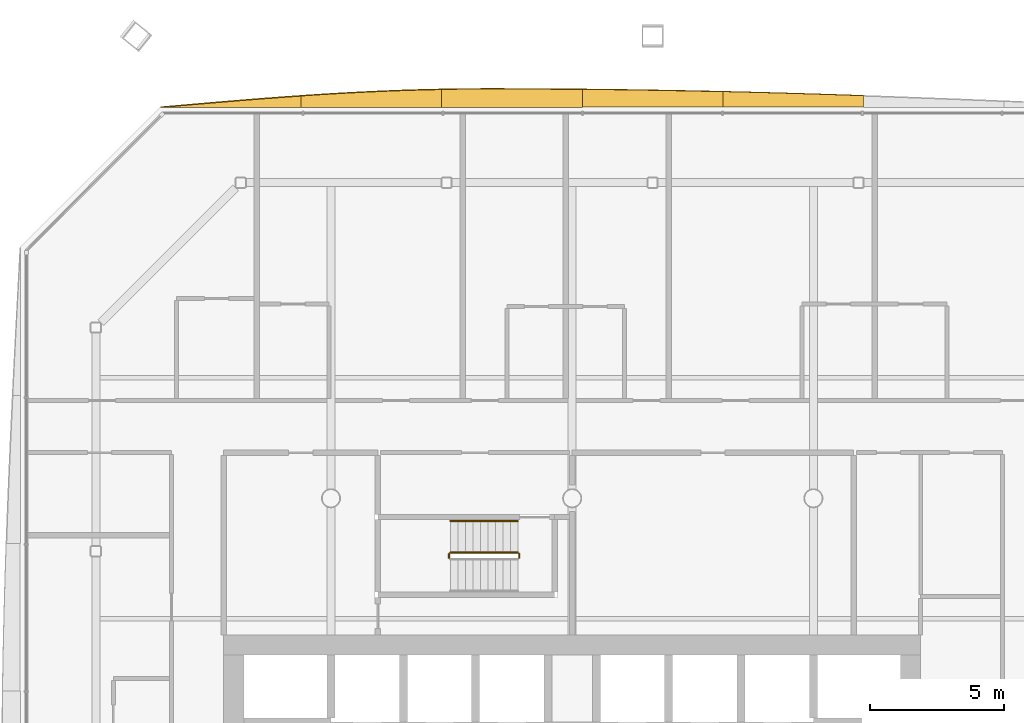
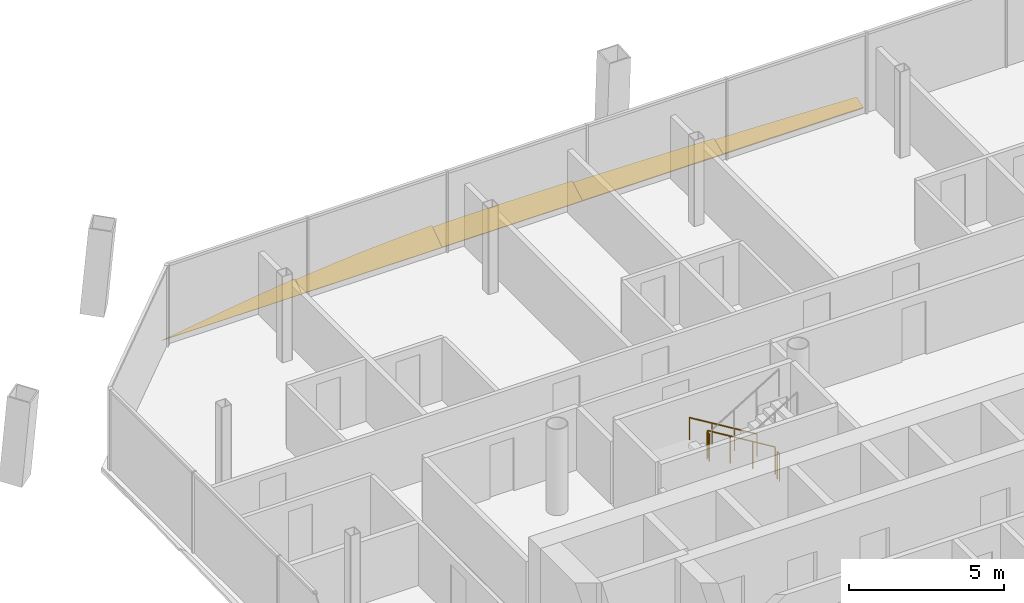
# One storey, part 21 of 22: 5 shading devices, 4 railings.
"""IFC4 building model written with IfcOpenShell, lengths in metres."""

from ifc_helpers import new_model, si_unit, direction, frame, origin, origin_2d, place, context, subcontext, project, spatial, polyline, circle, outline, extrude, material, layer, layer_set, type_object, element, save


model = new_model("IFC4")

# Units and contexts
model_context = context("Model", 3, precision=1e-05, world=origin(), true_north=direction((0.0, 1.0)))
body_context = subcontext(model_context, "Body", "Model", "MODEL_VIEW")
ifc_project = project(units=[si_unit("LENGTHUNIT", "METRE"), si_unit("AREAUNIT", "SQUARE_METRE"), si_unit("VOLUMEUNIT", "CUBIC_METRE"), si_unit("PLANEANGLEUNIT", "RADIAN"), si_unit("MASSUNIT", "GRAM", prefix="KILO")], contexts=[model_context])

# Site, building, storey
site_placement = place(None, origin())
site = spatial("IfcSite", under=ifc_project, at=site_placement, CompositionType="ELEMENT")
building_placement = place(site_placement, origin())
building = spatial("IfcBuilding", under=site, at=building_placement, Name="Tskaro Facet Tower", CompositionType="ELEMENT")
storey_placement = place(building_placement, frame((0.0, 0.0, 124.89990234375)))
storey = spatial("IfcBuildingStorey", under=building, at=storey_placement, Name="L29", CompositionType="ELEMENT", Elevation=124.89990234375)

# Shading devices
ifc_material_1 = material(Name="Bronze anodised aluminium 6063-T6", Category="aluminium")
ifc_layer = layer(ifc_material_1, 0.06005859375, Name="Bronze anodised aluminium 6063-T6")
ifc_layer_set = layer_set([ifc_layer], Name="Bronze anodised aluminium 6063-T6")
shading_device_type = type_object("IfcShadingDeviceType", Name="Bronze sun blade (FN1)", PredefinedType="USERDEFINED", material=ifc_layer_set)
shading_device_1_placement = place(storey_placement, frame((10.8671875, 23.596435546875, 0.056396484375), z_axis=(-1.0715814e-05, -0.342120256761, 0.939656176374), x_axis=(-0.999999999943, 3.666097e-06, -1.006918e-05)))
element("IfcShadingDevice", 1, at=shading_device_1_placement, inside=storey, type_object=shading_device_type, Name="Fin blade north 3", ObjectType="FIN", PredefinedType="USERDEFINED", context=body_context, shape_type="SweptSolid", body=[
    extrude(outline(polyline([(0.0, 0.0), (5.244873046573869, 0.0), (5.24487304675815, -0.614465917563888), (4.495605467921922, -0.5950051118594887), (3.7463378904221134, -0.5744596222636648), (2.9970703124686366, -0.5523706322840193), (2.2478027349565366, -0.5289675501667507), (1.4985351563225595, -0.5045633096113731), (0.7492675781299588, -0.47884497691837236), (-1.1845187608348964e-09, -0.45212548578726264), (0.0, 0.0)])), origin(), (0.0, 0.0, -1.0), 0.06005859375),
])
shading_device_2_placement = place(storey_placement, frame((5.622314453125, 23.591552734375, 0.054443359375), z_axis=(-1.80363e-05, -0.422566691951, 0.906331832459), x_axis=(-0.999999999837, 7.62154e-06, -1.6346873e-05)))
element("IfcShadingDevice", 2, at=shading_device_2_placement, inside=storey, type_object=shading_device_type, Name="Fin blade north 4", ObjectType="FIN", PredefinedType="USERDEFINED", context=body_context, shape_type="SweptSolid", body=[
    extrude(outline(polyline([(0.0, 0.0), (5.24462890539694, 0.0), (5.244628907390833, -0.7339877789837006), (4.495361325987007, -0.724917031256916), (3.746093751243288, -0.7143272586446061), (2.9968261714563473, -0.7019822476992192), (2.2478027331028096, -0.6880001051445315), (1.498535156793482, -0.6726021034006125), (0.7492675773016608, -0.6556701357436865), (-1.3817177230164823e-09, -0.6371010364774592), (0.0, 0.0)])), origin(), (0.0, 0.0, -1.0), 0.06005859375),
])
shading_device_3_placement = place(storey_placement, frame((0.377685546875, 23.5869140625, 0.052001953125), z_axis=(2.079606e-06, -0.499990938533, 0.866030635359), x_axis=(-0.999999999998, -1.039784e-06, 1.801003e-06)))
element("IfcShadingDevice", 3, at=shading_device_3_placement, inside=storey, type_object=shading_device_type, Name="Fin blade north 5", ObjectType="FIN", PredefinedType="USERDEFINED", context=body_context, shape_type="SweptSolid", body=[
    extrude(outline(polyline([(0.0, 0.0), (5.244873046863659, -1.1106450687172933e-21), (5.244873046807312, -0.7695921273596902), (4.495605468692667, -0.7822803946919978), (3.7463378907685905, -0.787973877106458), (3.5456542967651705, -0.7881853103670442), (2.997070312205513, -0.78785180900623), (2.24780273435417, -0.7856720705206284), (1.4985351565210105, -0.7815240268100112), (0.7492675781983272, -0.7758305443955509), (-1.0617267987613322e-10, -0.7681687567560751), (0.0, 0.0)])), origin(), (0.0, 0.0, -1.0), 0.06005859375),
])
shading_device_4_placement = place(storey_placement, frame((-4.8671875, 23.58251953125, 0.04931640625), z_axis=(-1.8984386e-05, -0.573502847044, 0.819203566931), x_axis=(-0.99999999982, 1.08876e-05, -1.5552077e-05)))
element("IfcShadingDevice", 4, at=shading_device_4_placement, inside=storey, type_object=shading_device_type, Name="Fin blade north 6", ObjectType="FIN", PredefinedType="USERDEFINED", context=body_context, shape_type="SweptSolid", body=[
    extrude(outline(polyline([(0.0, 0.0), (5.244873045929856, 0.0), (5.244873047558144, -0.5211803036446242), (4.495605470004637, -0.581662659213918), (3.7463378913067467, -0.636524798770662), (2.997070312603262, -0.6854267061004458), (2.2478027323748653, -0.7278283641179896), (1.4985351544184515, -0.7635897574797519), (0.7492675772147036, -0.7921708691004534), (-1.894484265411672e-09, -0.8133716981092254), (0.0, 0.0)])), origin(), (0.0, 0.0, -1.0), 0.06005859375),
])
shading_device_5_placement = place(storey_placement, frame((-10.112060546875, 23.578369140625, 0.046142578125), z_axis=(-1.1811518e-05, -0.642556385521, 0.766238403688), x_axis=(-0.99999999993, 7.589566e-06, -9.050439e-06)))
element("IfcShadingDevice", 5, at=shading_device_5_placement, inside=storey, type_object=shading_device_type, Name="Fin blade north 7", ObjectType="FIN", PredefinedType="USERDEFINED", context=body_context, shape_type="SweptSolid", body=[
    extrude(outline(polyline([(0.0, 0.0), (5.244873046509139, 0.0), (4.495605469360174, -0.0859624297236639), (3.746337891071604, -0.17104990144382276), (2.9970703123567466, -0.25457452707976), (2.2478027342855746, -0.3355044745104009), (1.4985351550051689, -0.4136526738129569), (0.7492675777950825, -0.4878304187487833), (-6.93868835987681e-10, -0.5573196254319449), (0.0, 0.0)])), origin(), (0.0, 0.0, -1.0), 0.06005859375),
])

# Railings
ifc_material_2 = material(Name="Stainless steel", Category="steel")
railing_type_1 = type_object("IfcRailingType", Name="RL-GUARD-1100", PredefinedType="GUARDRAIL", material=ifc_material_2)
railing_1_placement = place(storey_placement, frame((-2.02490234375, 6.97509765625, 0.170166015625)))
element("IfcRailing", 6, at=railing_1_placement, inside=storey, type_object=railing_type_1, Name="L29 ST-3 stair guard 1", PredefinedType="GUARDRAIL", context=body_context, shape_type="SweptSolid", body=[
    extrude(circle(Radius=0.02392578125, at=origin_2d()), frame((0.0, 0.0, 1.076171875), z_axis=(-0.85478489116, 0.0, 0.518982456201), x_axis=(0.0, -1.0, 0.0)), (0.0, 0.0, 1.0), 2.9482421875),
    extrude(circle(Radius=0.02099609375, at=origin_2d()), origin(), (0.0, 0.0, 1.0), 1.052001953125),
    extrude(circle(Radius=0.02099609375, at=origin_2d()), frame((-0.840087890625, 0.0, 0.510009765625)), (0.0, 0.0, 1.0), 1.052001953125),
    extrude(circle(Radius=0.02099609375, at=origin_2d()), frame((-1.679931640625, 0.0, 1.02001953125)), (0.0, 0.0, 1.0), 1.052001953125),
    extrude(circle(Radius=0.02099609375, at=origin_2d()), frame((-2.52001953125, 0.0, 1.530029296875)), (0.0, 0.0, 1.0), 1.052001953125),
])
for number, where, name in (
    (7, (-4.594970703125, 6.925048828125, 1.7001953125), "L29 ST-3 stair guard 2"),
    (8, (-1.97509765625, 6.925048828125, 0.0), "L29 ST-3 stair guard 4"),
):
    element("IfcRailing", number, at=place(storey_placement, frame(where)), inside=storey, type_object=railing_type_1, Name=name, PredefinedType="GUARDRAIL", context=body_context, shape_type="SweptSolid", body=[
        extrude(circle(Radius=0.02392578125, at=origin_2d()), frame((0.0, 0.0, 1.076171875), z_axis=(0.0, -1.0, 0.0), x_axis=(1.0, 0.0, 0.0)), (0.0, 0.0, 1.0), 0.150146484375),
        extrude(circle(Radius=0.02099609375, at=origin_2d()), origin(), (0.0, 0.0, 1.0), 1.052001953125),
        extrude(circle(Radius=0.02099609375, at=origin_2d()), frame((0.0, -0.150146484375, 0.0)), (0.0, 0.0, 1.0), 1.052001953125),
    ])
railing_type_2 = type_object("IfcRailingType", Name="RL-HANDRAIL-900", PredefinedType="HANDRAIL", material=ifc_material_2)
railing_2_placement = place(storey_placement, frame((-2.02490234375, 8.14990234375, 0.170166015625)))
element("IfcRailing", 9, at=railing_2_placement, inside=storey, type_object=railing_type_2, Name="L29 ST-3 stair handrail 1", PredefinedType="HANDRAIL", context=body_context, shape_type="SweptSolid", body=[
    extrude(circle(Radius=0.02392578125, at=origin_2d()), frame((0.0, 0.0, 0.8759765625), z_axis=(-0.85478489116, 0.0, 0.518982456201), x_axis=(0.0, -1.0, 0.0)), (0.0, 0.0, 1.0), 2.9482421875),
    extrude(circle(Radius=0.02099609375, at=origin_2d()), origin(), (0.0, 0.0, 1.0), 0.851806640625),
    extrude(circle(Radius=0.02099609375, at=origin_2d()), frame((-0.840087890625, 0.0, 0.510009765625)), (0.0, 0.0, 1.0), 0.851806640625),
    extrude(circle(Radius=0.02099609375, at=origin_2d()), frame((-1.679931640625, 0.0, 1.02001953125)), (0.0, 0.0, 1.0), 0.851806640625),
    extrude(circle(Radius=0.02099609375, at=origin_2d()), frame((-2.52001953125, 0.0, 1.530029296875)), (0.0, 0.0, 1.0), 0.851806640625),
])

save(model, "model.ifc")
